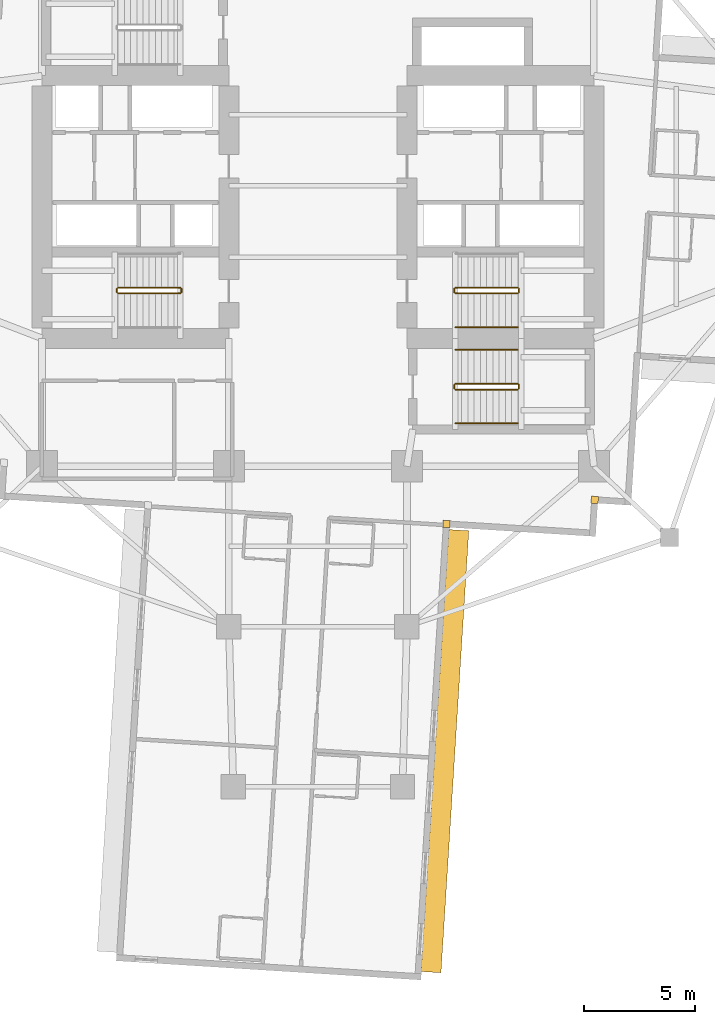
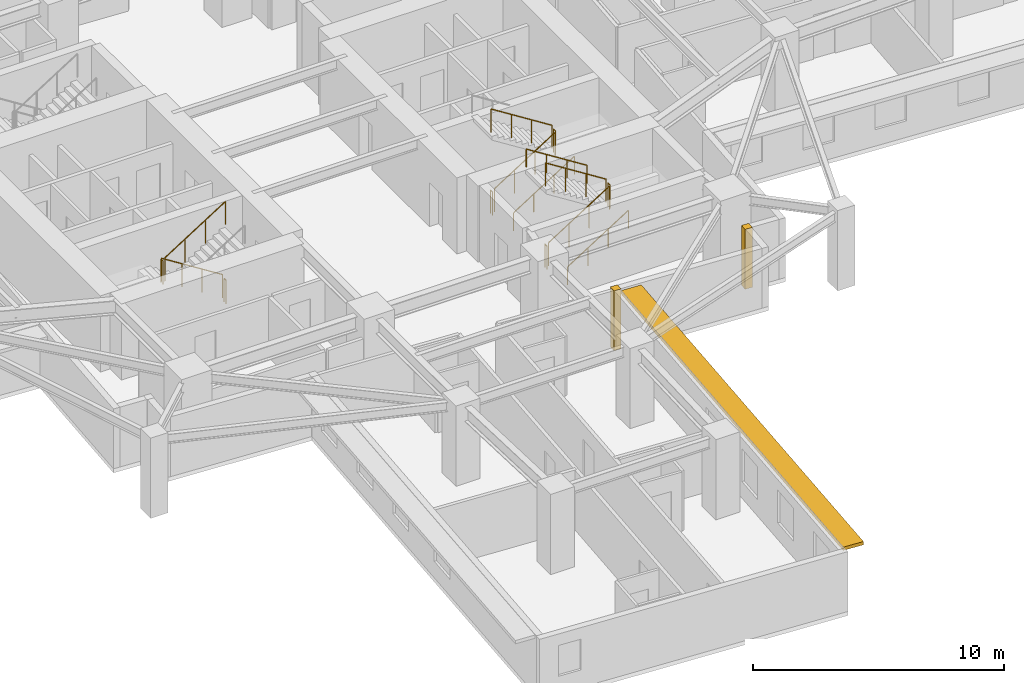
# One storey, part 11 of 14: 15 railings, 2 coverings, 1 shading device.
"""IFC4 building model written with IfcOpenShell, lengths in metres."""

import ifcopenshell
import ifcopenshell.guid

model = None  # the IFC model being written
_history = None  # IfcOwnerHistory: only IFC2X3 demands one
_inside = {}  # id of a spatial element -> (the spatial element, [elements in it])
_under = {}  # id of a project, library or spatial element -> (it, [spatial elements below it])
_declared = {}  # id of a project -> (the project, [libraries it declares])
_typed = {}  # id of a type object -> (the type object, [elements of that type])
_made_of = {}  # id of a material, layer set ... -> (it, [elements and type objects made of it])


def new_model(schema):
    """Start an empty IFC model of exactly this schema.

    Asked for "IFC4X3", IfcOpenShell would pick the latest addendum, in which some entities
    have other attributes; the version numbers below select the first issue.
    IFC2X3 requires an IfcOwnerHistory on every rooted entity: one is made here for all.
    """
    global model, _history
    if schema == "IFC4X3":
        model = ifcopenshell.file(schema_version=(4, 3, 0, 0))
    else:
        model = ifcopenshell.file(schema=schema)
    _inside.clear()
    _under.clear()
    _declared.clear()
    _typed.clear()
    _made_of.clear()
    _history = None
    if model.schema == "IFC2X3":
        org = make("IfcOrganization", Name="unknown")
        user = make(
            "IfcPersonAndOrganization",
            ThePerson=make("IfcPerson", FamilyName="unknown"),
            TheOrganization=org,
        )
        app = make(
            "IfcApplication",
            ApplicationDeveloper=org,
            Version="unknown",
            ApplicationFullName="unknown",
            ApplicationIdentifier="unknown",
        )
        _history = make(
            "IfcOwnerHistory",
            OwningUser=user,
            OwningApplication=app,
            ChangeAction="ADDED",
            CreationDate=0,
        )
    return model


def make(cls, **values):
    """One entity of the class cls with the attributes given. An attribute that is None is left unset."""
    return model.create_entity(
        cls, **{name: value for name, value in values.items() if value is not None}
    )


def rooted(cls, **values):
    """An entity with a GlobalId (a new one), such as an element, a storey or a relation."""
    return make(cls, GlobalId=ifcopenshell.guid.new(), OwnerHistory=_history, **values)


def si_unit(unit_type, name, prefix=None):
    """IfcSIUnit, for example si_unit("LENGTHUNIT", "METRE", prefix="MILLI")."""
    return make("IfcSIUnit", UnitType=unit_type, Prefix=prefix, Name=name)


def assignment(units):
    """IfcUnitAssignment: the units of a project."""
    return None if units is None else make("IfcUnitAssignment", Units=units)


def point(xyz):
    """IfcCartesianPoint."""
    return None if xyz is None else make("IfcCartesianPoint", Coordinates=xyz)


def direction(xyz):
    """IfcDirection."""
    return None if xyz is None else make("IfcDirection", DirectionRatios=xyz)


def frame(location, z_axis=None, x_axis=None):
    """IfcAxis2Placement3D, a coordinate frame: its origin and axes. An axis left out is left unset."""
    return make(
        "IfcAxis2Placement3D",
        Location=point(location),
        Axis=direction(z_axis),
        RefDirection=direction(x_axis),
    )


def frame_2d(location, x_axis=None):
    """IfcAxis2Placement2D, a coordinate frame in the plane: its origin and x axis."""
    return make(
        "IfcAxis2Placement2D", Location=point(location), RefDirection=direction(x_axis)
    )


def origin():
    """The frame at (0, 0, 0) with its axes left unset."""
    return frame((0.0, 0.0, 0.0))


def origin_2d():
    """The frame at (0, 0) in the plane with its x axis left unset."""
    return frame_2d((0.0, 0.0))


def place(relative_to, where):
    """IfcLocalPlacement: puts the frame where relative to a parent placement (None: the world)."""
    return make(
        "IfcLocalPlacement", PlacementRelTo=relative_to, RelativePlacement=where
    )


def context(
    kind, dimensions, precision=None, world=None, true_north=None, identifier=None
):
    """IfcGeometricRepresentationContext, for example the 3D "Model" context."""
    return make(
        "IfcGeometricRepresentationContext",
        ContextIdentifier=identifier,
        ContextType=kind,
        CoordinateSpaceDimension=dimensions,
        Precision=precision,
        WorldCoordinateSystem=world,
        TrueNorth=true_north,
    )


def subcontext(parent, identifier, kind, view, scale=None):
    """IfcGeometricRepresentationSubContext, for example "Body" below "Model"."""
    return make(
        "IfcGeometricRepresentationSubContext",
        ContextIdentifier=identifier,
        ContextType=kind,
        ParentContext=parent,
        TargetScale=scale,
        TargetView=view,
    )


def project(units=None, contexts=None):
    """IfcProject with its units and contexts."""
    return rooted(
        "IfcProject",
        Name="project",
        RepresentationContexts=contexts,
        UnitsInContext=assignment(units),
    )


def spatial(cls, under=None, at=None, **own):
    """A site, building, storey or space (cls), placed at a placement, below another one or the project."""
    s = rooted(cls, ObjectPlacement=at, **own)
    if under is not None:
        _under.setdefault(under.id(), (under, []))[1].append(s)
    return s


def profile(cls, at=None, kind="AREA", **sizes):
    """A parametric profile (cls). Its sizes go by their IFC names, for example OverallWidth=200.0."""
    return make(cls, ProfileType=kind, Position=at, **sizes)


def rectangle(**sizes):
    """IfcRectangleProfileDef."""
    return profile("IfcRectangleProfileDef", **sizes)


def circle(**sizes):
    """IfcCircleProfileDef."""
    return profile("IfcCircleProfileDef", **sizes)


def extrude(swept, where, along, depth):
    """IfcExtrudedAreaSolid: the profile swept, set in the frame where, extruded along a direction by depth."""
    return make(
        "IfcExtrudedAreaSolid",
        SweptArea=swept,
        Position=where,
        ExtrudedDirection=direction(along),
        Depth=depth,
    )


def shape(context_of_items, identifier, shape_type, items):
    """IfcShapeRepresentation: the items that make up one representation, for example the "Body"."""
    return make(
        "IfcShapeRepresentation",
        ContextOfItems=context_of_items,
        RepresentationIdentifier=identifier,
        RepresentationType=shape_type,
        Items=items,
    )


def material(Name=None, Category=None):
    """IfcMaterial."""
    return make("IfcMaterial", Name=Name, Category=Category)


def layer(
    of_material, thickness, ventilated=None, Name=None, Category=None, Priority=None
):
    """IfcMaterialLayer: one layer of a wall or slab, of a material (None: an air gap)."""
    return make(
        "IfcMaterialLayer",
        Material=of_material,
        LayerThickness=thickness,
        IsVentilated=ventilated,
        Name=Name,
        Category=Category,
        Priority=Priority,
    )


def layer_set(layers, Name=None):
    """IfcMaterialLayerSet."""
    return make("IfcMaterialLayerSet", MaterialLayers=layers, LayerSetName=Name)


def made_of(thing, what):
    """Note that an element or type object is made of a material, layer set ...; save() writes the relation."""
    if what is not None:
        _made_of.setdefault(what.id(), (what, []))[1].append(thing)
    return thing


def type_object(cls, material=None, **own):
    """A type object (cls), such as IfcWallType, which elements share."""
    return made_of(rooted(cls, **own), material)


def element(
    cls,
    number,
    at=None,
    inside=None,
    cuts=None,
    type_object=None,
    material=None,
    context=None,
    identifier="Body",
    shape_type=None,
    held_by="IfcProductDefinitionShape",
    body=None,
    shapes=None,
    **own,
):
    """One element of the class cls, such as IfcWall. Its Tag is "e" and its number.

    at: its placement. inside: the storey or other place that contains it. cuts: it is an
    opening in that element (IfcRelVoidsElement). A single representation is given by context,
    identifier, shape_type and body (its items); several are given by shapes. held_by: the class
    of the entity that holds the representations. save() writes the other relations.
    """
    e = rooted(cls, Tag="e%d" % number, ObjectPlacement=at, **own)
    if body is not None:
        shapes = [shape(context, identifier, shape_type, body)]
    if shapes is not None:
        e.Representation = make(held_by, Representations=shapes)
    if inside is not None:
        _inside.setdefault(inside.id(), (inside, []))[1].append(e)
    if cuts is not None:
        rooted(
            "IfcRelVoidsElement", RelatingBuildingElement=cuts, RelatedOpeningElement=e
        )
    if type_object is not None:
        _typed.setdefault(type_object.id(), (type_object, []))[1].append(e)
    return made_of(e, material)


def aggregate(whole, parts):
    """IfcRelAggregates: a whole, such as a stair, and the parts it consists of."""
    return rooted("IfcRelAggregates", RelatingObject=whole, RelatedObjects=parts)


def save(model, path):
    """Write the relations noted so far, then the file.

    IfcRelAggregates (storeys below a building ...), IfcRelContainedInSpatialStructure (elements
    in a storey), IfcRelDefinesByType, IfcRelAssociatesMaterial and IfcRelDeclares: one each for
    every whole, place, type object, material and project.
    """
    for whole, parts in _under.values():
        aggregate(whole, parts)
    for where, things in _inside.values():
        rooted(
            "IfcRelContainedInSpatialStructure",
            RelatedElements=things,
            RelatingStructure=where,
        )
    for kind, things in _typed.values():
        rooted("IfcRelDefinesByType", RelatedObjects=things, RelatingType=kind)
    for what, things in _made_of.values():
        rooted("IfcRelAssociatesMaterial", RelatedObjects=things, RelatingMaterial=what)
    for by, libraries in _declared.values():
        rooted("IfcRelDeclares", RelatingContext=by, RelatedDefinitions=libraries)
    model.write(path)


model = new_model("IFC4")

# Units and contexts
model_context = context("Model", 3, precision=1e-05, world=origin(), true_north=direction((0.0, 1.0)))
body_context = subcontext(model_context, "Body", "Model", "MODEL_VIEW")
ifc_project = project(units=[si_unit("LENGTHUNIT", "METRE"), si_unit("AREAUNIT", "SQUARE_METRE"), si_unit("VOLUMEUNIT", "CUBIC_METRE"), si_unit("PLANEANGLEUNIT", "RADIAN"), si_unit("MASSUNIT", "GRAM", prefix="KILO")], contexts=[model_context])

# Site, building, storey
site_placement = place(None, origin())
site = spatial("IfcSite", under=ifc_project, at=site_placement, CompositionType="ELEMENT")
building_placement = place(site_placement, origin())
building = spatial("IfcBuilding", under=site, at=building_placement, Name="Qingluan Cross Belvedere", CompositionType="ELEMENT")
storey_placement = place(building_placement, frame((0.0, 0.0, 87.300048828125)))
storey = spatial("IfcBuildingStorey", under=building, at=storey_placement, Name="L22", CompositionType="ELEMENT", Elevation=87.300048828125)

# Coverings
ifc_material_1 = material(Name="Precast concrete C45", Category="concrete")
ifc_layer_1 = layer(ifc_material_1, 0.1201171875, Name="ConcreteSpandrelCladding_120")
ifc_layer_set_1 = layer_set([ifc_layer_1], Name="Precast concrete C45")
covering_type = type_object("IfcCoveringType", Name="ConcreteSpandrelCladding_120", PredefinedType="CLADDING", material=ifc_layer_set_1)
for number, where, z_axis, x_axis, name in (
    (1, (12.438720703125, -14.10888671875, 0.0), (0.0, 0.0, 1.0), (0.998026728428, -0.062790519529, 0.0), "Corner closure L22-SE1"),
    (2, (5.77734375, -15.192626953125, 0.0), (0.0, 0.0, 1.0), (0.998026728428, -0.062790519529, 0.0), "Corner closure L22-SE2"),
):
    element("IfcCovering", number, at=place(storey_placement, frame(where, z_axis=z_axis, x_axis=x_axis)), inside=storey, type_object=covering_type, Name=name, PredefinedType="CLADDING", context=body_context, shape_type="SweptSolid", body=[
        extrude(rectangle(XDim=0.320068359375, YDim=0.320068359375, at=origin_2d()), origin(), (0.0, 0.0, 1.0), 2.909912109375),
    ])

# Shading device
ifc_material_2 = material(Name="Precast concrete C45", Category="concrete")
ifc_layer_2 = layer(ifc_material_2, 0.159912109375, Name="ConcreteSunshadeBand_900")
ifc_layer_set_2 = layer_set([ifc_layer_2], Name="Precast concrete C45")
shading_device_type = type_object("IfcShadingDeviceType", Name="ConcreteSunshadeBand_900", PredefinedType="USERDEFINED", material=ifc_layer_set_2)
shading_device_placement = place(storey_placement, frame((5.70654296875, -25.3984375, 2.72998046875), z_axis=(0.0, 0.0, 1.0), x_axis=(0.062786203294, 0.998026999973, 0.0)))
element("IfcShadingDevice", 3, at=shading_device_placement, inside=storey, type_object=shading_device_type, Name="Concrete SUNSHADE L22-SB", ObjectType="SUNSHADE", PredefinedType="USERDEFINED", context=body_context, shape_type="SweptSolid", body=[
    extrude(rectangle(XDim=19.89990234375, YDim=0.89990234375, at=origin_2d()), origin(), (0.0, 0.0, 1.0), 0.159912109375),
])

# Railings
ifc_material_3 = material(Name="Brushed stainless steel tubular handrail", Category="steel")
railing_type_1 = type_object("IfcRailingType", Name="StairPitchHandrail_900", PredefinedType="HANDRAIL", material=ifc_material_3)
for number, where, name in (
    (4, (6.179931640625, -6.35009765625, 0.17724609375), "L22 ST2 stair handrail 1"),
    (5, (6.179931640625, -10.669921875, 0.17724609375), "L22 ST4 stair handrail 1"),
):
    element("IfcRailing", number, at=place(storey_placement, frame(where)), inside=storey, type_object=railing_type_1, Name=name, PredefinedType="HANDRAIL", context=body_context, shape_type="SweptSolid", body=[
        extrude(circle(Radius=0.02392578125, at=origin_2d()), frame((0.0, 0.0, 0.8759765625), z_axis=(0.844908973607, 0.0, 0.534910110503), x_axis=(0.0, 1.0, 0.0)), (0.0, 0.0, 1.0), 3.31396484375),
        extrude(circle(Radius=0.02099609375, at=origin_2d()), origin(), (0.0, 0.0, 1.0), 0.851806640625),
        extrude(circle(Radius=0.02099609375, at=origin_2d()), frame((0.933349609375, 0.0, 0.5908203125)), (0.0, 0.0, 1.0), 0.851806640625),
        extrude(circle(Radius=0.02099609375, at=origin_2d()), frame((1.86669921875, 0.0, 1.181884765625)), (0.0, 0.0, 1.0), 0.851806640625),
        extrude(circle(Radius=0.02099609375, at=origin_2d()), frame((2.800048828125, 0.0, 1.772705078125)), (0.0, 0.0, 1.0), 0.851806640625),
    ])
railing_1_placement = place(storey_placement, frame((8.97998046875, -7.3701171875, 2.127197265625)))
element("IfcRailing", 6, at=railing_1_placement, inside=storey, type_object=railing_type_1, Name="L22 ST4 stair handrail 2", PredefinedType="HANDRAIL", context=body_context, shape_type="SweptSolid", body=[
    extrude(circle(Radius=0.02392578125, at=origin_2d()), frame((0.0, 0.0, 0.8759765625), z_axis=(-0.844908973607, 0.0, 0.534910110503), x_axis=(0.0, -1.0, 0.0)), (0.0, 0.0, 1.0), 3.31396484375),
    extrude(circle(Radius=0.02099609375, at=origin_2d()), origin(), (0.0, 0.0, 1.0), 0.851806640625),
    extrude(circle(Radius=0.02099609375, at=origin_2d()), frame((-0.933349609375, 0.0, 0.5908203125)), (0.0, 0.0, 1.0), 0.851806640625),
    extrude(circle(Radius=0.02099609375, at=origin_2d()), frame((-1.86669921875, 0.0, 1.181884765625)), (0.0, 0.0, 1.0), 0.851806640625),
    extrude(circle(Radius=0.02099609375, at=origin_2d()), frame((-2.800048828125, 0.0, 1.772705078125)), (0.0, 0.0, 1.0), 0.851806640625),
])
ifc_material_4 = material(Name="Painted steel stair well guard", Category="steel")
railing_type_2 = type_object("IfcRailingType", Name="StairWellGuard_1150", PredefinedType="BALUSTRADE", material=ifc_material_4)
railing_2_placement = place(storey_placement, frame((-6.179931640625, -4.570068359375, 0.17724609375)))
element("IfcRailing", 7, at=railing_2_placement, inside=storey, type_object=railing_type_2, Name="L22 ST1 stair guard 1", PredefinedType="BALUSTRADE", context=body_context, shape_type="SweptSolid", body=[
    extrude(circle(Radius=0.02392578125, at=origin_2d()), frame((0.0, 0.0, 1.1259765625), z_axis=(-0.844908973607, 0.0, 0.534910110503), x_axis=(0.0, -1.0, 0.0)), (0.0, 0.0, 1.0), 3.31396484375),
    extrude(circle(Radius=0.02099609375, at=origin_2d()), origin(), (0.0, 0.0, 1.0), 1.101806640625),
    extrude(circle(Radius=0.02099609375, at=origin_2d()), frame((-0.933349609375, 0.0, 0.5908203125)), (0.0, 0.0, 1.0), 1.101806640625),
    extrude(circle(Radius=0.02099609375, at=origin_2d()), frame((-1.86669921875, 0.0, 1.181884765625)), (0.0, 0.0, 1.0), 1.101806640625),
    extrude(circle(Radius=0.02099609375, at=origin_2d()), frame((-2.800048828125, 0.0, 1.772705078125)), (0.0, 0.0, 1.0), 1.101806640625),
])
railing_3_placement = place(storey_placement, frame((-9.030029296875, -4.6201171875, 1.949951171875)))
element("IfcRailing", 8, at=railing_3_placement, inside=storey, type_object=railing_type_2, Name="L22 ST1 stair guard 2", PredefinedType="BALUSTRADE", context=body_context, shape_type="SweptSolid", body=[
    extrude(circle(Radius=0.02392578125, at=origin_2d()), frame((0.0, 0.0, 1.1259765625), z_axis=(0.0, -1.0, 0.0), x_axis=(1.0, 0.0, 0.0)), (0.0, 0.0, 1.0), 0.159912109375),
    extrude(circle(Radius=0.02099609375, at=origin_2d()), origin(), (0.0, 0.0, 1.0), 1.101806640625),
    extrude(circle(Radius=0.02099609375, at=origin_2d()), frame((0.0, -0.159912109375, 0.0)), (0.0, 0.0, 1.0), 1.101806640625),
])
railing_4_placement = place(storey_placement, frame((-8.97998046875, -4.830078125, 2.127197265625)))
element("IfcRailing", 9, at=railing_4_placement, inside=storey, type_object=railing_type_2, Name="L22 ST1 stair guard 3", PredefinedType="BALUSTRADE", context=body_context, shape_type="SweptSolid", body=[
    extrude(circle(Radius=0.02392578125, at=origin_2d()), frame((0.0, 0.0, 1.1259765625), z_axis=(0.844908973607, 0.0, 0.534910110503), x_axis=(0.0, 1.0, 0.0)), (0.0, 0.0, 1.0), 3.31396484375),
    extrude(circle(Radius=0.02099609375, at=origin_2d()), origin(), (0.0, 0.0, 1.0), 1.101806640625),
    extrude(circle(Radius=0.02099609375, at=origin_2d()), frame((0.933349609375, 0.0, 0.5908203125)), (0.0, 0.0, 1.0), 1.101806640625),
    extrude(circle(Radius=0.02099609375, at=origin_2d()), frame((1.86669921875, 0.0, 1.181884765625)), (0.0, 0.0, 1.0), 1.101806640625),
    extrude(circle(Radius=0.02099609375, at=origin_2d()), frame((2.800048828125, 0.0, 1.772705078125)), (0.0, 0.0, 1.0), 1.101806640625),
])
railing_5_placement = place(storey_placement, frame((-6.1298828125, -4.6201171875, 0.0)))
element("IfcRailing", 10, at=railing_5_placement, inside=storey, type_object=railing_type_2, Name="L22 ST1 stair guard 4", PredefinedType="BALUSTRADE", context=body_context, shape_type="SweptSolid", body=[
    extrude(circle(Radius=0.02392578125, at=origin_2d()), frame((0.0, 0.0, 1.1259765625), z_axis=(0.0, -1.0, 0.0), x_axis=(1.0, 0.0, 0.0)), (0.0, 0.0, 1.0), 0.159912109375),
    extrude(circle(Radius=0.02099609375, at=origin_2d()), origin(), (0.0, 0.0, 1.0), 1.101806640625),
    extrude(circle(Radius=0.02099609375, at=origin_2d()), frame((0.0, -0.159912109375, 0.0)), (0.0, 0.0, 1.0), 1.101806640625),
])
railing_6_placement = place(storey_placement, frame((6.179931640625, -4.830078125, 0.17724609375)))
element("IfcRailing", 11, at=railing_6_placement, inside=storey, type_object=railing_type_2, Name="L22 ST2 stair guard 1", PredefinedType="BALUSTRADE", context=body_context, shape_type="SweptSolid", body=[
    extrude(circle(Radius=0.02392578125, at=origin_2d()), frame((0.0, 0.0, 1.1259765625), z_axis=(0.844908973607, 0.0, 0.534910110503), x_axis=(0.0, 1.0, 0.0)), (0.0, 0.0, 1.0), 3.31396484375),
    extrude(circle(Radius=0.02099609375, at=origin_2d()), origin(), (0.0, 0.0, 1.0), 1.101806640625),
    extrude(circle(Radius=0.02099609375, at=origin_2d()), frame((0.933349609375, 0.0, 0.5908203125)), (0.0, 0.0, 1.0), 1.101806640625),
    extrude(circle(Radius=0.02099609375, at=origin_2d()), frame((1.86669921875, 0.0, 1.181884765625)), (0.0, 0.0, 1.0), 1.101806640625),
    extrude(circle(Radius=0.02099609375, at=origin_2d()), frame((2.800048828125, 0.0, 1.772705078125)), (0.0, 0.0, 1.0), 1.101806640625),
])
railing_7_placement = place(storey_placement, frame((9.030029296875, -4.780029296875, 1.949951171875)))
element("IfcRailing", 12, at=railing_7_placement, inside=storey, type_object=railing_type_2, Name="L22 ST2 stair guard 2", PredefinedType="BALUSTRADE", context=body_context, shape_type="SweptSolid", body=[
    extrude(circle(Radius=0.02392578125, at=origin_2d()), frame((0.0, 0.0, 1.1259765625), z_axis=(0.0, 1.0, 0.0), x_axis=(-1.0, 0.0, 0.0)), (0.0, 0.0, 1.0), 0.159912109375),
    extrude(circle(Radius=0.02099609375, at=origin_2d()), origin(), (0.0, 0.0, 1.0), 1.101806640625),
    extrude(circle(Radius=0.02099609375, at=origin_2d()), frame((0.0, 0.159912109375, 0.0)), (0.0, 0.0, 1.0), 1.101806640625),
])
railing_8_placement = place(storey_placement, frame((8.97998046875, -4.570068359375, 2.127197265625)))
element("IfcRailing", 13, at=railing_8_placement, inside=storey, type_object=railing_type_2, Name="L22 ST2 stair guard 3", PredefinedType="BALUSTRADE", context=body_context, shape_type="SweptSolid", body=[
    extrude(circle(Radius=0.02392578125, at=origin_2d()), frame((0.0, 0.0, 1.1259765625), z_axis=(-0.844908973607, 0.0, 0.534910110503), x_axis=(0.0, -1.0, 0.0)), (0.0, 0.0, 1.0), 3.31396484375),
    extrude(circle(Radius=0.02099609375, at=origin_2d()), origin(), (0.0, 0.0, 1.0), 1.101806640625),
    extrude(circle(Radius=0.02099609375, at=origin_2d()), frame((-0.933349609375, 0.0, 0.5908203125)), (0.0, 0.0, 1.0), 1.101806640625),
    extrude(circle(Radius=0.02099609375, at=origin_2d()), frame((-1.86669921875, 0.0, 1.181884765625)), (0.0, 0.0, 1.0), 1.101806640625),
    extrude(circle(Radius=0.02099609375, at=origin_2d()), frame((-2.800048828125, 0.0, 1.772705078125)), (0.0, 0.0, 1.0), 1.101806640625),
])
railing_9_placement = place(storey_placement, frame((6.1298828125, -4.780029296875, 0.0)))
element("IfcRailing", 14, at=railing_9_placement, inside=storey, type_object=railing_type_2, Name="L22 ST2 stair guard 4", PredefinedType="BALUSTRADE", context=body_context, shape_type="SweptSolid", body=[
    extrude(circle(Radius=0.02392578125, at=origin_2d()), frame((0.0, 0.0, 1.1259765625), z_axis=(0.0, 1.0, 0.0), x_axis=(-1.0, 0.0, 0.0)), (0.0, 0.0, 1.0), 0.159912109375),
    extrude(circle(Radius=0.02099609375, at=origin_2d()), origin(), (0.0, 0.0, 1.0), 1.101806640625),
    extrude(circle(Radius=0.02099609375, at=origin_2d()), frame((0.0, 0.159912109375, 0.0)), (0.0, 0.0, 1.0), 1.101806640625),
])
railing_10_placement = place(storey_placement, frame((6.179931640625, -9.14990234375, 0.17724609375)))
element("IfcRailing", 15, at=railing_10_placement, inside=storey, type_object=railing_type_2, Name="L22 ST4 stair guard 1", PredefinedType="BALUSTRADE", context=body_context, shape_type="SweptSolid", body=[
    extrude(circle(Radius=0.02392578125, at=origin_2d()), frame((0.0, 0.0, 1.1259765625), z_axis=(0.844908973607, 0.0, 0.534910110503), x_axis=(0.0, 1.0, 0.0)), (0.0, 0.0, 1.0), 3.31396484375),
    extrude(circle(Radius=0.02099609375, at=origin_2d()), origin(), (0.0, 0.0, 1.0), 1.101806640625),
    extrude(circle(Radius=0.02099609375, at=origin_2d()), frame((0.933349609375, 0.0, 0.5908203125)), (0.0, 0.0, 1.0), 1.101806640625),
    extrude(circle(Radius=0.02099609375, at=origin_2d()), frame((1.86669921875, 0.0, 1.181884765625)), (0.0, 0.0, 1.0), 1.101806640625),
    extrude(circle(Radius=0.02099609375, at=origin_2d()), frame((2.800048828125, 0.0, 1.772705078125)), (0.0, 0.0, 1.0), 1.101806640625),
])
railing_11_placement = place(storey_placement, frame((9.030029296875, -9.10009765625, 1.949951171875)))
element("IfcRailing", 16, at=railing_11_placement, inside=storey, type_object=railing_type_2, Name="L22 ST4 stair guard 2", PredefinedType="BALUSTRADE", context=body_context, shape_type="SweptSolid", body=[
    extrude(circle(Radius=0.02392578125, at=origin_2d()), frame((0.0, 0.0, 1.1259765625), z_axis=(0.0, 1.0, 0.0), x_axis=(-1.0, 0.0, 0.0)), (0.0, 0.0, 1.0), 0.16015625),
    extrude(circle(Radius=0.02099609375, at=origin_2d()), origin(), (0.0, 0.0, 1.0), 1.101806640625),
    extrude(circle(Radius=0.02099609375, at=origin_2d()), frame((0.0, 0.16015625, 0.0)), (0.0, 0.0, 1.0), 1.101806640625),
])
railing_12_placement = place(storey_placement, frame((8.97998046875, -8.889892578125, 2.127197265625)))
element("IfcRailing", 17, at=railing_12_placement, inside=storey, type_object=railing_type_2, Name="L22 ST4 stair guard 3", PredefinedType="BALUSTRADE", context=body_context, shape_type="SweptSolid", body=[
    extrude(circle(Radius=0.02392578125, at=origin_2d()), frame((0.0, 0.0, 1.1259765625), z_axis=(-0.844908973607, 0.0, 0.534910110503), x_axis=(0.0, -1.0, 0.0)), (0.0, 0.0, 1.0), 3.31396484375),
    extrude(circle(Radius=0.02099609375, at=origin_2d()), origin(), (0.0, 0.0, 1.0), 1.101806640625),
    extrude(circle(Radius=0.02099609375, at=origin_2d()), frame((-0.933349609375, 0.0, 0.5908203125)), (0.0, 0.0, 1.0), 1.101806640625),
    extrude(circle(Radius=0.02099609375, at=origin_2d()), frame((-1.86669921875, 0.0, 1.181884765625)), (0.0, 0.0, 1.0), 1.101806640625),
    extrude(circle(Radius=0.02099609375, at=origin_2d()), frame((-2.800048828125, 0.0, 1.772705078125)), (0.0, 0.0, 1.0), 1.101806640625),
])
railing_13_placement = place(storey_placement, frame((6.1298828125, -9.10009765625, 0.0)))
element("IfcRailing", 18, at=railing_13_placement, inside=storey, type_object=railing_type_2, Name="L22 ST4 stair guard 4", PredefinedType="BALUSTRADE", context=body_context, shape_type="SweptSolid", body=[
    extrude(circle(Radius=0.02392578125, at=origin_2d()), frame((0.0, 0.0, 1.1259765625), z_axis=(0.0, 1.0, 0.0), x_axis=(-1.0, 0.0, 0.0)), (0.0, 0.0, 1.0), 0.16015625),
    extrude(circle(Radius=0.02099609375, at=origin_2d()), origin(), (0.0, 0.0, 1.0), 1.101806640625),
    extrude(circle(Radius=0.02099609375, at=origin_2d()), frame((0.0, 0.16015625, 0.0)), (0.0, 0.0, 1.0), 1.101806640625),
])

save(model, "model.ifc")
